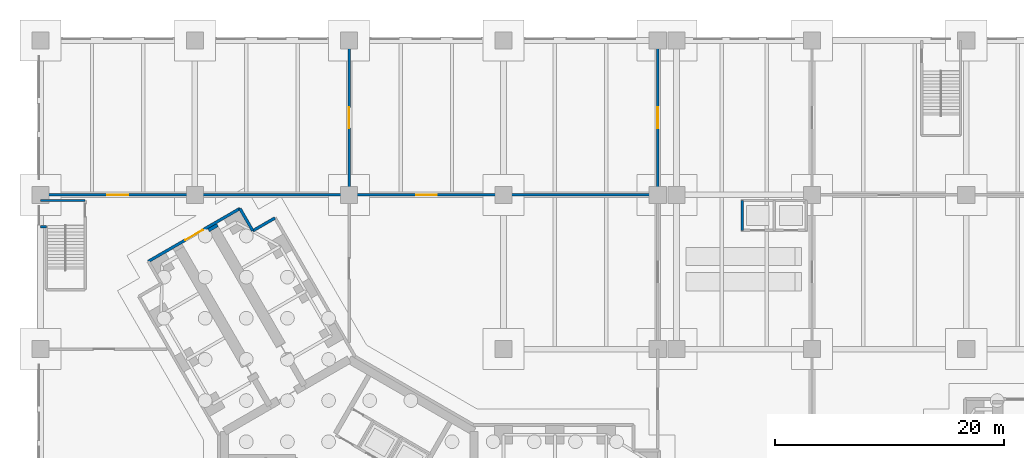
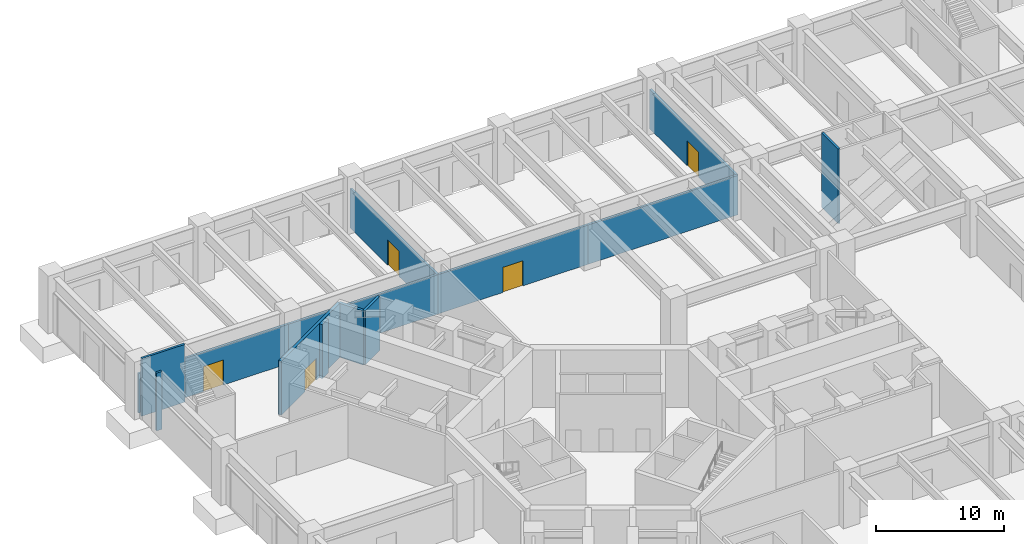
# One storey, part 13 of 18: 13 walls, 5 doors, 5 openings.
"""IFC4 building model written with IfcOpenShell, lengths in metres."""

from ifc_helpers import new_model, si_unit, direction, frame, frame_2d, origin, place, context, subcontext, project, spatial, rectangle, extrude, material, layer, layer_set, type_object, element, fill, save


model = new_model("IFC4")

# Units and contexts
model_context = context("Model", 3, precision=1e-05, world=origin(), true_north=direction((0.0, 1.0)))
body_context = subcontext(model_context, "Body", "Model", "MODEL_VIEW")
ifc_project = project(units=[si_unit("LENGTHUNIT", "METRE"), si_unit("AREAUNIT", "SQUARE_METRE"), si_unit("VOLUMEUNIT", "CUBIC_METRE"), si_unit("PLANEANGLEUNIT", "RADIAN"), si_unit("MASSUNIT", "GRAM", prefix="KILO")], contexts=[model_context])

# Site, building, storey
site_placement = place(None, origin())
site = spatial("IfcSite", under=ifc_project, at=site_placement, CompositionType="ELEMENT")
building_placement = place(site_placement, origin())
building = spatial("IfcBuilding", under=site, at=building_placement, Name="Upepo Twin Towers", CompositionType="ELEMENT")
storey_placement = place(building_placement, origin())
storey = spatial("IfcBuildingStorey", under=building, at=storey_placement, Name="L00", CompositionType="ELEMENT", Elevation=0.0)

# Walls
ifc_material_1 = material(Name="Dense concrete blockwork", Category="masonry")
ifc_layer_1 = layer(ifc_material_1, 0.89990234375)
ifc_layer_set_1 = layer_set([ifc_layer_1], Name="Buttress closer 900, blockwork with fire-stopping to the curtain wall")
wall_type_1 = type_object("IfcWallType", Name="Buttress closer 900, blockwork with fire-stopping to the curtain wall", PredefinedType="PARTITIONING", material=ifc_layer_set_1)
wall_1_placement = place(storey_placement, frame((-11.83447265625, 23.997802734375, 0.0), z_axis=(0.0, 0.0, 1.0), x_axis=(-0.499816412211, 0.866131372301, 0.0)))
element("IfcWall", 1, at=wall_1_placement, inside=storey, type_object=wall_type_1, Name="T1 L00 wing B buttress closer R", PredefinedType="PARTITIONING", context=body_context, shape_type="SweptSolid", body=[
    extrude(rectangle(XDim=0.2998046875, YDim=0.89990234375, at=frame_2d((0.14990234375, 0.0))), origin(), (0.0, 0.0, 1.0), 5.14990234375),
])
ifc_material_2 = material(Name="Concrete C40/50", Category="concrete")
ifc_layer_2 = layer(ifc_material_2, 0.199951171875)
ifc_layer_set_2 = layer_set([ifc_layer_2], Name="Concrete C40/50")
wall_type_2 = type_object("IfcWallType", Name="Podium lift shaft wall 200 RC", PredefinedType="SHEAR", material=ifc_layer_set_2)
wall_2_placement = place(storey_placement, frame((34.39990234375, 26.5, -1.60009765625), z_axis=(0.0, 0.0, 1.0), x_axis=(0.0, -1.0, 0.0)))
element("IfcWall", 2, at=wall_2_placement, inside=storey, type_object=wall_type_2, Name="Podium lift shaft L00 wall 4", PredefinedType="SHEAR", context=body_context, shape_type="SweptSolid", body=[
    extrude(rectangle(XDim=2.60009765625, YDim=0.199951171875, at=frame_2d((1.300048828125, 0.0))), origin(), (0.0, 0.0, 1.0), 7.10009765625),
])

# Wall, opening, door
ifc_material_3 = material(Name="Concrete blockwork", Category="masonry")
ifc_layer_3 = layer(ifc_material_3, 0.199951171875)
ifc_layer_set_3 = layer_set([ifc_layer_3], Name="Podium partition 200 blockwork")
wall_type_3 = type_object("IfcWallType", Name="Podium partition 200 blockwork", PredefinedType="PARTITIONING", material=ifc_layer_set_3)
wall_3_placement = place(storey_placement, frame((-27.0, 27.0, 0.0), z_axis=(0.0, 0.0, 1.0), x_axis=(1.0, 0.0, 0.0)))
wall_3 = element("IfcWall", 3, at=wall_3_placement, inside=storey, type_object=wall_type_3, Name="L00 podium wall Y05", PredefinedType="PARTITIONING", context=body_context, shape_type="SweptSolid", body=[
    extrude(rectangle(XDim=13.5, YDim=0.199951171875, at=frame_2d((6.75, 0.0))), origin(), (0.0, 0.0, 1.0), 3.75),
])
opening_1_placement = place(wall_3_placement, frame((5.85009765625, 0.0, 0.0)))
opening_1 = element("IfcOpeningElement", 4, at=opening_1_placement, cuts=wall_3, Name="Opening D10", PredefinedType="OPENING", context=body_context, shape_type="SweptSolid", body=[
    extrude(rectangle(XDim=1.800048828125, YDim=2.39990234375, at=frame_2d((0.89990234375, 1.199951171875))), frame((0.0, 0.10986328125, 0.0), z_axis=(0.0, -1.0, 0.0), x_axis=(1.0, 0.0, 0.0)), (0.0, 0.0, 1.0), 0.219970703125),
])
ifc_material_4 = material(Name="Timber doorset", Category="wood")
door_type_1 = type_object("IfcDoorType", Name="Podium double door 1800", OperationType="DOUBLE_DOOR_DOUBLE_SWING", PredefinedType="DOOR", material=ifc_material_4)
door_1_placement = place(opening_1_placement, origin())
door_1 = element("IfcDoor", 5, at=door_1_placement, inside=storey, type_object=door_type_1, Name="L00 students' union cafe annex 2 door", OperationType="DOUBLE_DOOR_DOUBLE_SWING", OverallHeight=2.39990234375, OverallWidth=1.800048828125, PredefinedType="DOOR", context=body_context, shape_type="SweptSolid", body=[
    extrude(rectangle(XDim=1.800048828125, YDim=2.39990234375, at=frame_2d((0.89990234375, 1.199951171875))), frame((0.0, 0.02490234375, 0.0), z_axis=(0.0, -1.0, 0.0), x_axis=(1.0, 0.0, 0.0)), (0.0, 0.0, 1.0), 0.050048828125),
])
fill(opening_1, door_1)

# Wall
wall_4_placement = place(storey_placement, frame((-13.5, 27.0, 0.0), z_axis=(0.0, 0.0, 1.0), x_axis=(1.0, 0.0, 0.0)))
element("IfcWall", 6, at=wall_4_placement, inside=storey, type_object=wall_type_3, Name="L00 podium wall Y15", PredefinedType="PARTITIONING", context=body_context, shape_type="SweptSolid", body=[
    extrude(rectangle(XDim=13.5, YDim=0.199951171875, at=frame_2d((6.75, 0.0))), origin(), (0.0, 0.0, 1.0), 3.75),
])

# Wall, opening, door
wall_5_placement = place(storey_placement, frame((0.0, 27.0, 0.0), z_axis=(0.0, 0.0, 1.0), x_axis=(0.0, 1.0, 0.0)))
wall_5 = element("IfcWall", 7, at=wall_5_placement, inside=storey, type_object=wall_type_3, Name="L00 podium wall X25", PredefinedType="PARTITIONING", context=body_context, shape_type="SweptSolid", body=[
    extrude(rectangle(XDim=13.5, YDim=0.199951171875, at=frame_2d((6.75, 0.0))), origin(), (0.0, 0.0, 1.0), 3.75),
])
opening_2_placement = place(wall_5_placement, frame((5.85009765625, 0.0, 0.0)))
opening_2 = element("IfcOpeningElement", 8, at=opening_2_placement, cuts=wall_5, Name="Opening D10", PredefinedType="OPENING", context=body_context, shape_type="SweptSolid", body=[
    extrude(rectangle(XDim=1.800048828125, YDim=2.39990234375, at=frame_2d((0.89990234375, 1.199951171875))), frame((0.0, 0.10986328125, 0.0), z_axis=(0.0, -1.0, 0.0), x_axis=(1.0, 0.0, 0.0)), (0.0, 0.0, 1.0), 0.219970703125),
])
door_2_placement = place(opening_2_placement, origin())
door_2 = element("IfcDoor", 9, at=door_2_placement, inside=storey, type_object=door_type_1, Name="L00 students' union cafe-student services centre door", OperationType="DOUBLE_DOOR_DOUBLE_SWING", OverallHeight=2.39990234375, OverallWidth=1.800048828125, PredefinedType="DOOR", context=body_context, shape_type="SweptSolid", body=[
    extrude(rectangle(XDim=1.800048828125, YDim=2.39990234375, at=frame_2d((0.89990234375, 1.199951171875))), frame((0.0, 0.02490234375, 0.0), z_axis=(0.0, -1.0, 0.0), x_axis=(1.0, 0.0, 0.0)), (0.0, 0.0, 1.0), 0.050048828125),
])
fill(opening_2, door_2)

wall_6_placement = place(storey_placement, frame((0.0, 27.0, 0.0), z_axis=(0.0, 0.0, 1.0), x_axis=(1.0, 0.0, 0.0)))
wall_6 = element("IfcWall", 10, at=wall_6_placement, inside=storey, type_object=wall_type_3, Name="L00 podium wall Y25", PredefinedType="PARTITIONING", context=body_context, shape_type="SweptSolid", body=[
    extrude(rectangle(XDim=13.5, YDim=0.199951171875, at=frame_2d((6.75, 0.0))), origin(), (0.0, 0.0, 1.0), 3.75),
])
opening_3_placement = place(wall_6_placement, frame((5.85009765625, 0.0, 0.0)))
opening_3 = element("IfcOpeningElement", 11, at=opening_3_placement, cuts=wall_6, Name="Opening D10", PredefinedType="OPENING", context=body_context, shape_type="SweptSolid", body=[
    extrude(rectangle(XDim=1.800048828125, YDim=2.39990234375, at=frame_2d((0.89990234375, 1.199951171875))), frame((0.0, 0.10986328125, 0.0), z_axis=(0.0, -1.0, 0.0), x_axis=(1.0, 0.0, 0.0)), (0.0, 0.0, 1.0), 0.219970703125),
])
door_3_placement = place(opening_3_placement, origin())
door_3 = element("IfcDoor", 12, at=door_3_placement, inside=storey, type_object=door_type_1, Name="L00 exam hall-student services centre door", OperationType="DOUBLE_DOOR_DOUBLE_SWING", OverallHeight=2.39990234375, OverallWidth=1.800048828125, PredefinedType="DOOR", context=body_context, shape_type="SweptSolid", body=[
    extrude(rectangle(XDim=1.800048828125, YDim=2.39990234375, at=frame_2d((0.89990234375, 1.199951171875))), frame((0.0, 0.02490234375, 0.0), z_axis=(0.0, -1.0, 0.0), x_axis=(1.0, 0.0, 0.0)), (0.0, 0.0, 1.0), 0.050048828125),
])
fill(opening_3, door_3)

# Wall
wall_7_placement = place(storey_placement, frame((13.5, 27.0, 0.0), z_axis=(0.0, 0.0, 1.0), x_axis=(1.0, 0.0, 0.0)))
element("IfcWall", 13, at=wall_7_placement, inside=storey, type_object=wall_type_3, Name="L00 podium wall Y35", PredefinedType="PARTITIONING", context=body_context, shape_type="SweptSolid", body=[
    extrude(rectangle(XDim=13.5, YDim=0.199951171875, at=frame_2d((6.75, 0.0))), origin(), (0.0, 0.0, 1.0), 3.75),
])

# Wall, opening, door
wall_8_placement = place(storey_placement, frame((27.0, 27.0, 0.0), z_axis=(0.0, 0.0, 1.0), x_axis=(0.0, 1.0, 0.0)))
wall_8 = element("IfcWall", 14, at=wall_8_placement, inside=storey, type_object=wall_type_3, Name="L00 podium wall X45", PredefinedType="PARTITIONING", context=body_context, shape_type="SweptSolid", body=[
    extrude(rectangle(XDim=13.5, YDim=0.199951171875, at=frame_2d((6.75, 0.0))), origin(), (0.0, 0.0, 1.0), 3.75),
])
opening_4_placement = place(wall_8_placement, frame((5.85009765625, 0.0, 0.0)))
opening_4 = element("IfcOpeningElement", 15, at=opening_4_placement, cuts=wall_8, Name="Opening D10", PredefinedType="OPENING", context=body_context, shape_type="SweptSolid", body=[
    extrude(rectangle(XDim=1.800048828125, YDim=2.39990234375, at=frame_2d((0.89990234375, 1.199951171875))), frame((0.0, 0.10986328125, 0.0), z_axis=(0.0, -1.0, 0.0), x_axis=(1.0, 0.0, 0.0)), (0.0, 0.0, 1.0), 0.219970703125),
])
door_4_placement = place(opening_4_placement, origin())
door_4 = element("IfcDoor", 16, at=door_4_placement, inside=storey, type_object=door_type_1, Name="L00 student services centre door", OperationType="DOUBLE_DOOR_DOUBLE_SWING", OverallHeight=2.39990234375, OverallWidth=1.800048828125, PredefinedType="DOOR", context=body_context, shape_type="SweptSolid", body=[
    extrude(rectangle(XDim=1.800048828125, YDim=2.39990234375, at=frame_2d((0.89990234375, 1.199951171875))), frame((0.0, 0.02490234375, 0.0), z_axis=(0.0, -1.0, 0.0), x_axis=(1.0, 0.0, 0.0)), (0.0, 0.0, 1.0), 0.050048828125),
])
fill(opening_4, door_4)

# Walls
ifc_material_5 = material(Name="Concrete C40/50", Category="concrete")
ifc_layer_4 = layer(ifc_material_5, 0.199951171875)
ifc_layer_set_4 = layer_set([ifc_layer_4], Name="Concrete C40/50")
wall_type_4 = type_object("IfcWallType", Name="Podium stair enclosure 200 RC", PredefinedType="SHEAR", material=ifc_layer_set_4)
wall_9_placement = place(storey_placement, frame((-23.10009765625, 26.5, 0.0), z_axis=(0.0, 0.0, 1.0), x_axis=(-1.0, 0.0, 0.0)))
element("IfcWall", 17, at=wall_9_placement, inside=storey, type_object=wall_type_4, Name="PS1 L00 enclosure wall 3", PredefinedType="SHEAR", context=body_context, shape_type="SweptSolid", body=[
    extrude(rectangle(XDim=3.89990234375, YDim=0.199951171875, at=frame_2d((1.949951171875, 0.0))), origin(), (0.0, 0.0, 1.0), 5.5),
])
wall_10_placement = place(storey_placement, frame((-26.5, 24.199951171875, 0.0), z_axis=(0.0, 0.0, 1.0), x_axis=(-1.0, 0.0, 0.0)))
element("IfcWall", 18, at=wall_10_placement, inside=storey, type_object=wall_type_4, Name="PS1 L00 enclosure return wall", PredefinedType="SHEAR", context=body_context, shape_type="SweptSolid", body=[
    extrude(rectangle(XDim=0.5, YDim=0.199951171875, at=frame_2d((0.25, 0.0))), origin(), (0.0, 0.0, 1.0), 5.5),
])

# Wall, opening, door
ifc_material_6 = material(Name="Concrete blockwork", Category="masonry")
ifc_layer_5 = layer(ifc_material_6, 0.25)
ifc_layer_set_5 = layer_set([ifc_layer_5], Name="Tower enclosure wall 250 blockwork")
wall_type_5 = type_object("IfcWallType", Name="Tower enclosure wall 250 blockwork", PredefinedType="STANDARD", material=ifc_layer_set_5)
wall_11_placement = place(storey_placement, frame((-17.56787109375, 21.178466796875, 0.0), z_axis=(0.0, 0.0, 1.0), x_axis=(0.866025598446, 0.499999662836, 0.0)))
wall_11 = element("IfcWall", 19, at=wall_11_placement, inside=storey, type_object=wall_type_5, Name="T1 L00 enclosure wall 10", PredefinedType="STANDARD", context=body_context, shape_type="SweptSolid", body=[
    extrude(rectangle(XDim=9.25, YDim=0.25, at=frame_2d((4.625, 0.0))), origin(), (0.0, 0.0, 1.0), 5.14990234375),
])
opening_5_placement = place(wall_11_placement, frame((3.72509765625, 0.0, 0.0)))
opening_5 = element("IfcOpeningElement", 20, at=opening_5_placement, cuts=wall_11, Name="Opening D2", PredefinedType="OPENING", context=body_context, shape_type="SweptSolid", body=[
    extrude(rectangle(XDim=1.800048828125, YDim=2.10009765625, at=frame_2d((0.89990234375, 1.050048828125))), frame((0.0, 0.135009765625, 0.0), z_axis=(0.0, -1.0, 0.0), x_axis=(1.0, 0.0, 0.0)), (0.0, 0.0, 1.0), 0.27001953125),
])
ifc_material_7 = material(Name="Timber doorset", Category="wood")
door_type_2 = type_object("IfcDoorType", Name="Corridor double door 1800 FD60", OperationType="DOUBLE_DOOR_DOUBLE_SWING", PredefinedType="DOOR", material=ifc_material_7)
door_5_placement = place(opening_5_placement, origin())
door_5 = element("IfcDoor", 21, at=door_5_placement, inside=storey, type_object=door_type_2, Name="T1 L00 wing B podium door", OperationType="DOUBLE_DOOR_DOUBLE_SWING", OverallHeight=2.10009765625, OverallWidth=1.800048828125, PredefinedType="DOOR", context=body_context, shape_type="SweptSolid", body=[
    extrude(rectangle(XDim=1.800048828125, YDim=2.10009765625, at=frame_2d((0.89990234375, 1.050048828125))), frame((0.0, 0.02490234375, 0.0), z_axis=(0.0, -1.0, 0.0), x_axis=(1.0, 0.0, 0.0)), (0.0, 0.0, 1.0), 0.050048828125),
])
fill(opening_5, door_5)

# Walls
for number, where, z_axis, x_axis, name in (
    (22, (-9.55712890625, 25.803466796875, 0.0), (0.0, 0.0, 1.0), (0.500013631625, -0.866017533419, 0.0), "T1 L00 enclosure wall 11"),
    (23, (-8.43212890625, 23.85498046875, 0.0), (0.0, 0.0, 1.0), (0.866017533419, 0.500013631625, 0.0), "T1 L00 enclosure wall 12"),
):
    element("IfcWall", number, at=place(storey_placement, frame(where, z_axis=z_axis, x_axis=x_axis)), inside=storey, type_object=wall_type_5, Name=name, PredefinedType="STANDARD", context=body_context, shape_type="SweptSolid", body=[
        extrude(rectangle(XDim=2.25, YDim=0.25, at=frame_2d((1.125, 0.0))), origin(), (0.0, 0.0, 1.0), 5.14990234375),
    ])

save(model, "model.ifc")
